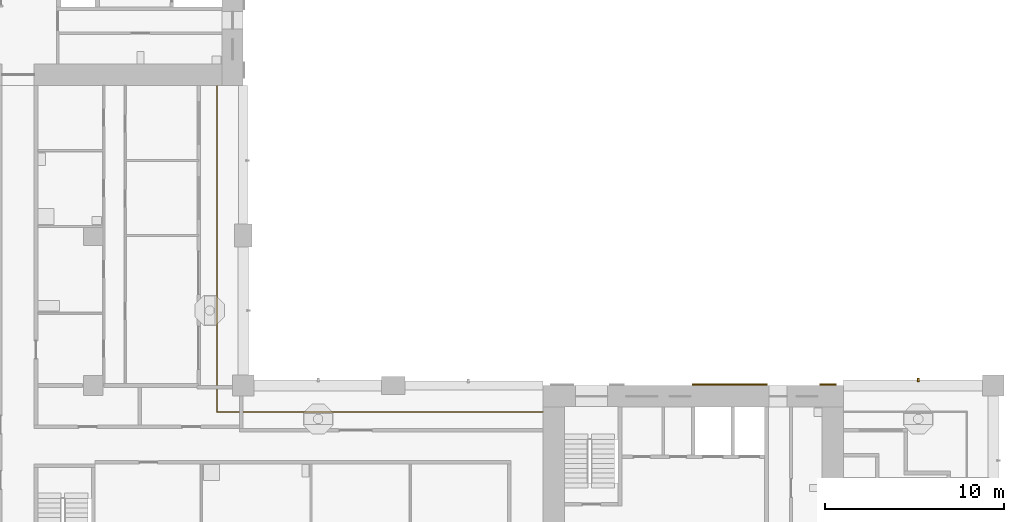
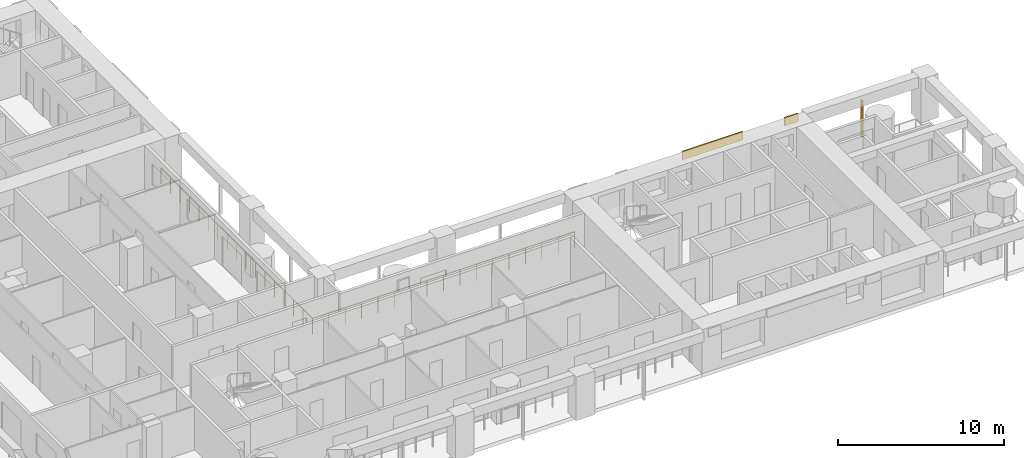
# One storey, part 13 of 18: 3 shading devices, 1 railing.
"""IFC4 building model written with IfcOpenShell, lengths in metres."""

from ifc_helpers import new_model, si_unit, direction, frame, origin, origin_2d, place, context, subcontext, project, spatial, rectangle, circle, extrude, material, layer, layer_set, material_profile, profile_set, type_object, element, save


model = new_model("IFC4")

# Units and contexts
model_context = context("Model", 3, precision=1e-05, world=origin(), true_north=direction((0.0, 1.0)))
body_context = subcontext(model_context, "Body", "Model", "MODEL_VIEW")
ifc_project = project(units=[si_unit("LENGTHUNIT", "METRE"), si_unit("AREAUNIT", "SQUARE_METRE"), si_unit("VOLUMEUNIT", "CUBIC_METRE"), si_unit("PLANEANGLEUNIT", "RADIAN"), si_unit("MASSUNIT", "GRAM", prefix="KILO")], contexts=[model_context])

# Site, building, storey
site_placement = place(None, origin())
site = spatial("IfcSite", under=ifc_project, at=site_placement, CompositionType="ELEMENT")
building_placement = place(site_placement, origin())
building = spatial("IfcBuilding", under=site, at=building_placement, Name="Vermilion Gate Residences", CompositionType="ELEMENT")
storey_placement = place(building_placement, frame((0.0, 0.0, 109.199951171875)))
storey = spatial("IfcBuildingStorey", under=building, at=storey_placement, Name="L27", CompositionType="ELEMENT", Elevation=109.199951171875)

# Railing
ifc_material_1 = material(Name="Stainless steel and toughened glass", Category="steel")
railing_type = type_object("IfcRailingType", Name="LOGGIA GUARD STEEL AND GLASS 1200", PredefinedType="GUARDRAIL", material=ifc_material_1)
railing_placement = place(storey_placement, frame((41.97802734375, 23.72509765625, 0.0)))
element("IfcRailing", 1, at=railing_placement, inside=storey, type_object=railing_type, Name="Loggia guard", PredefinedType="GUARDRAIL", context=body_context, shape_type="SweptSolid", body=[
    extrude(circle(Radius=0.030029296875, at=origin_2d()), frame((0.0, 0.0, 1.169921875), z_axis=(-1.0, 0.0, 0.0), x_axis=(0.0, -1.0, 0.0)), (0.0, 0.0, 1.0), 18.2529296875),
    extrude(circle(Radius=0.030029296875, at=origin_2d()), frame((-18.2529296875, 0.0, 1.169921875), z_axis=(0.0, 1.0, 0.0), x_axis=(-1.0, 0.0, 0.0)), (0.0, 0.0, 1.0), 18.2529296875),
    extrude(circle(Radius=0.02490234375, at=origin_2d()), origin(), (0.0, 0.0, 1.0), 1.139892578125),
    extrude(circle(Radius=0.02490234375, at=origin_2d()), frame((-1.140869140625, 0.0, 0.0)), (0.0, 0.0, 1.0), 1.139892578125),
    extrude(circle(Radius=0.02490234375, at=origin_2d()), frame((-2.28173828125, 0.0, 0.0)), (0.0, 0.0, 1.0), 1.139892578125),
    extrude(circle(Radius=0.02490234375, at=origin_2d()), frame((-3.42236328125, 0.0, 0.0)), (0.0, 0.0, 1.0), 1.139892578125),
    extrude(circle(Radius=0.02490234375, at=origin_2d()), frame((-4.563232421875, 0.0, 0.0)), (0.0, 0.0, 1.0), 1.139892578125),
    extrude(circle(Radius=0.02490234375, at=origin_2d()), frame((-5.7041015625, 0.0, 0.0)), (0.0, 0.0, 1.0), 1.139892578125),
    extrude(circle(Radius=0.02490234375, at=origin_2d()), frame((-6.8447265625, 0.0, 0.0)), (0.0, 0.0, 1.0), 1.139892578125),
    extrude(circle(Radius=0.02490234375, at=origin_2d()), frame((-7.985595703125, 0.0, 0.0)), (0.0, 0.0, 1.0), 1.139892578125),
    extrude(circle(Radius=0.02490234375, at=origin_2d()), frame((-9.12646484375, 0.0, 0.0)), (0.0, 0.0, 1.0), 1.139892578125),
    extrude(circle(Radius=0.02490234375, at=origin_2d()), frame((-10.267333984375, 0.0, 0.0)), (0.0, 0.0, 1.0), 1.139892578125),
    extrude(circle(Radius=0.02490234375, at=origin_2d()), frame((-11.408203125, 0.0, 0.0)), (0.0, 0.0, 1.0), 1.139892578125),
    extrude(circle(Radius=0.02490234375, at=origin_2d()), frame((-12.548828125, 0.0, 0.0)), (0.0, 0.0, 1.0), 1.139892578125),
    extrude(circle(Radius=0.02490234375, at=origin_2d()), frame((-13.689697265625, 0.0, 0.0)), (0.0, 0.0, 1.0), 1.139892578125),
    extrude(circle(Radius=0.02490234375, at=origin_2d()), frame((-14.83056640625, 0.0, 0.0)), (0.0, 0.0, 1.0), 1.139892578125),
    extrude(circle(Radius=0.02490234375, at=origin_2d()), frame((-15.97119140625, 0.0, 0.0)), (0.0, 0.0, 1.0), 1.139892578125),
    extrude(circle(Radius=0.02490234375, at=origin_2d()), frame((-17.112060546875, 0.0, 0.0)), (0.0, 0.0, 1.0), 1.139892578125),
    extrude(circle(Radius=0.02490234375, at=origin_2d()), frame((-18.2529296875, 0.0, 0.0)), (0.0, 0.0, 1.0), 1.139892578125),
    extrude(circle(Radius=0.02490234375, at=origin_2d()), frame((-18.2529296875, 1.140869140625, 0.0)), (0.0, 0.0, 1.0), 1.139892578125),
    extrude(circle(Radius=0.02490234375, at=origin_2d()), frame((-18.2529296875, 2.28173828125, 0.0)), (0.0, 0.0, 1.0), 1.139892578125),
    extrude(circle(Radius=0.02490234375, at=origin_2d()), frame((-18.2529296875, 3.42236328125, 0.0)), (0.0, 0.0, 1.0), 1.139892578125),
    extrude(circle(Radius=0.02490234375, at=origin_2d()), frame((-18.2529296875, 4.563232421875, 0.0)), (0.0, 0.0, 1.0), 1.139892578125),
    extrude(circle(Radius=0.02490234375, at=origin_2d()), frame((-18.2529296875, 5.7041015625, 0.0)), (0.0, 0.0, 1.0), 1.139892578125),
    extrude(circle(Radius=0.02490234375, at=origin_2d()), frame((-18.2529296875, 6.8447265625, 0.0)), (0.0, 0.0, 1.0), 1.139892578125),
    extrude(circle(Radius=0.02490234375, at=origin_2d()), frame((-18.2529296875, 7.985595703125, 0.0)), (0.0, 0.0, 1.0), 1.139892578125),
    extrude(circle(Radius=0.02490234375, at=origin_2d()), frame((-18.2529296875, 9.12646484375, 0.0)), (0.0, 0.0, 1.0), 1.139892578125),
    extrude(circle(Radius=0.02490234375, at=origin_2d()), frame((-18.2529296875, 10.267333984375, 0.0)), (0.0, 0.0, 1.0), 1.139892578125),
    extrude(circle(Radius=0.02490234375, at=origin_2d()), frame((-18.2529296875, 11.408203125, 0.0)), (0.0, 0.0, 1.0), 1.139892578125),
    extrude(circle(Radius=0.02490234375, at=origin_2d()), frame((-18.2529296875, 12.548828125, 0.0)), (0.0, 0.0, 1.0), 1.139892578125),
    extrude(circle(Radius=0.02490234375, at=origin_2d()), frame((-18.2529296875, 13.689697265625, 0.0)), (0.0, 0.0, 1.0), 1.139892578125),
    extrude(circle(Radius=0.02490234375, at=origin_2d()), frame((-18.2529296875, 14.83056640625, 0.0)), (0.0, 0.0, 1.0), 1.139892578125),
    extrude(circle(Radius=0.02490234375, at=origin_2d()), frame((-18.2529296875, 15.97119140625, 0.0)), (0.0, 0.0, 1.0), 1.139892578125),
    extrude(circle(Radius=0.02490234375, at=origin_2d()), frame((-18.2529296875, 17.112060546875, 0.0)), (0.0, 0.0, 1.0), 1.139892578125),
    extrude(circle(Radius=0.02490234375, at=origin_2d()), frame((-18.2529296875, 18.2529296875, 0.0)), (0.0, 0.0, 1.0), 1.139892578125),
])

# Shading devices
ifc_material_2 = material(Name="Extruded terracotta", Category="masonry")
ifc_material_profile = material_profile(ifc_material_2, rectangle(XDim=0.199951171875, YDim=0.10009765625, at=origin_2d()), Name="BAGUETTE 100 X 200")
ifc_profile_set = profile_set([ifc_material_profile], Name="Extruded terracotta")
shading_device_type_1 = type_object("IfcShadingDeviceType", Name="TERRACOTTA BAGUETTE 100 X 200", PredefinedType="JALOUSIE", material=ifc_profile_set)
shading_device_1_placement = place(storey_placement, frame((63.0, 25.5, -0.280029296875), z_axis=(0.0, 0.0, 1.0), x_axis=(0.0, -1.0, 0.0)))
element("IfcShadingDevice", 2, at=shading_device_1_placement, inside=storey, type_object=shading_device_type_1, Name="BAGUETTE", PredefinedType="JALOUSIE", context=body_context, shape_type="SweptSolid", body=[
    extrude(rectangle(XDim=0.199951171875, YDim=0.10009765625, at=origin_2d()), origin(), (0.0, 0.0, 1.0), 2.7001953125),
])
ifc_material_3 = material(Name="Extruded terracotta", Category="masonry")
ifc_layer = layer(ifc_material_3, 0.10009765625)
ifc_layer_set = layer_set([ifc_layer], Name="TERRACOTTA SPANDREL BAND 600 X 100")
shading_device_type_2 = type_object("IfcShadingDeviceType", Name="TERRACOTTA SPANDREL BAND 600 X 100", PredefinedType="USERDEFINED", material=ifc_layer_set)
shading_device_2_placement = place(storey_placement, frame((52.449951171875, 25.25, 2.6201171875), z_axis=(0.0, 0.0, 1.0), x_axis=(1.0, 0.0, 0.0)))
element("IfcShadingDevice", 3, at=shading_device_2_placement, inside=storey, type_object=shading_device_type_2, Name="SPANDREL BAND", ObjectType="BAND", PredefinedType="USERDEFINED", context=body_context, shape_type="SweptSolid", body=[
    extrude(rectangle(XDim=4.199951171875, YDim=0.10009765625, at=origin_2d()), origin(), (0.0, 0.0, 1.0), 0.60009765625),
])
shading_device_3_placement = place(storey_placement, frame((57.9375, 25.25, 2.6201171875), z_axis=(0.0, 0.0, 1.0), x_axis=(1.0, 0.0, 0.0)))
element("IfcShadingDevice", 4, at=shading_device_3_placement, inside=storey, type_object=shading_device_type_2, Name="SPANDREL BAND", ObjectType="BAND", PredefinedType="USERDEFINED", context=body_context, shape_type="SweptSolid", body=[
    extrude(rectangle(XDim=0.925048828125, YDim=0.10009765625, at=origin_2d()), origin(), (0.0, 0.0, 1.0), 0.60009765625),
])

save(model, "model.ifc")
